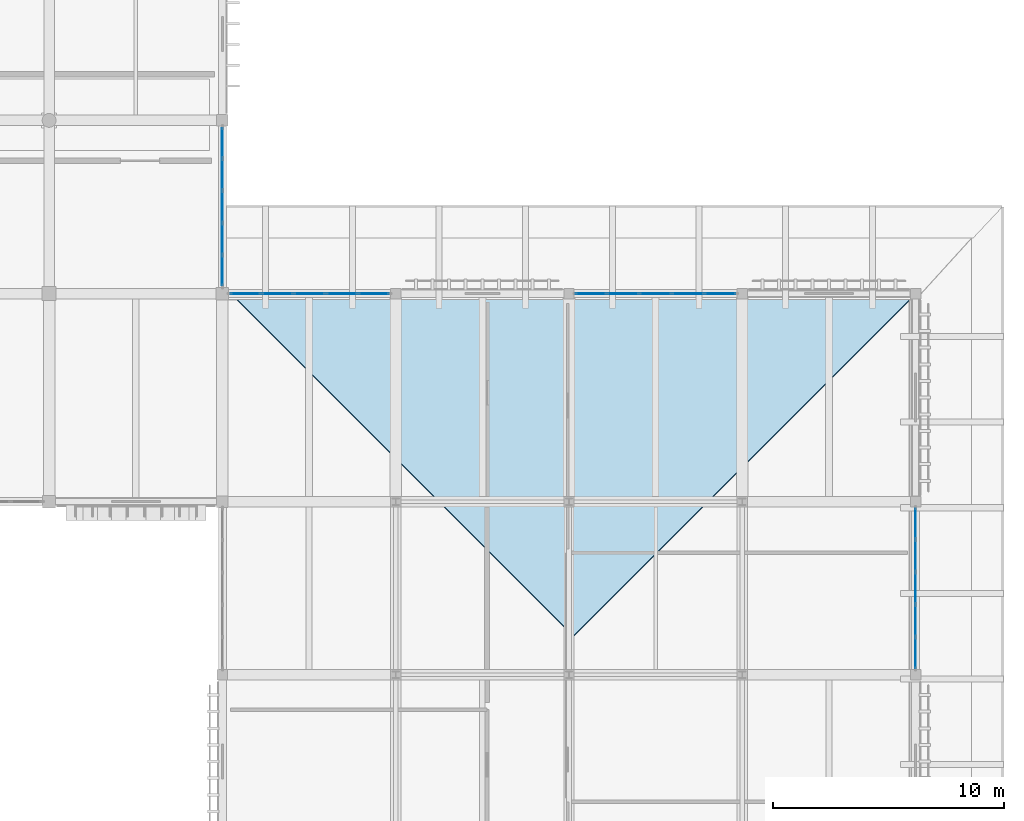
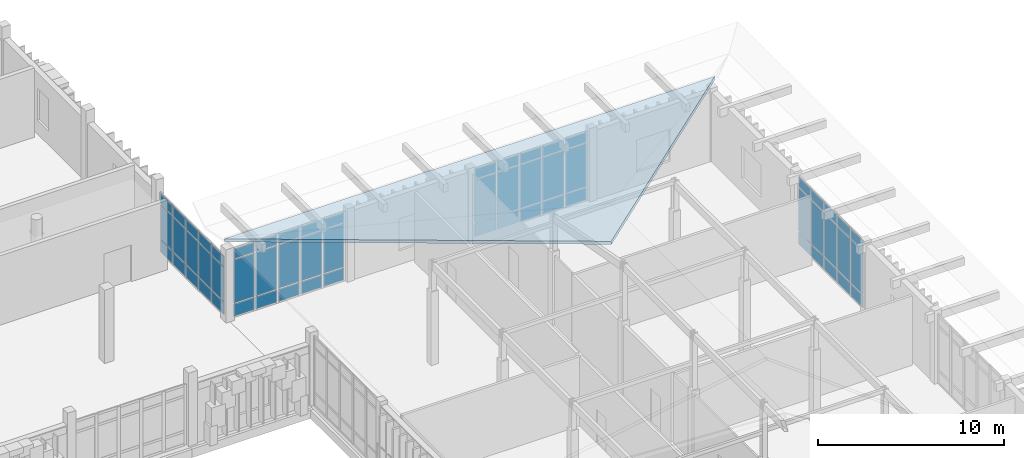
# One storey, part 93 of 131: 60 plates, 1 slab, 5 elements without a shape of their own.
"""IFC4 building model written with IfcOpenShell, lengths in metres."""

from ifc_helpers import new_model, si_unit, direction, frame, origin, origin_2d, place, context, subcontext, project, spatial, polyline, rectangle, outline, extrude, material, layer, layer_set, type_object, element, aggregate, save


model = new_model("IFC4")

# Units and contexts
model_context = context("Model", 3, precision=1e-05, world=origin(), true_north=direction((0.0, 1.0)))
body_context = subcontext(model_context, "Body", "Model", "MODEL_VIEW")
ifc_project = project(units=[si_unit("LENGTHUNIT", "METRE"), si_unit("AREAUNIT", "SQUARE_METRE"), si_unit("VOLUMEUNIT", "CUBIC_METRE"), si_unit("PLANEANGLEUNIT", "RADIAN"), si_unit("MASSUNIT", "GRAM", prefix="KILO")], contexts=[model_context])

# Site, building, storey
site_placement = place(None, origin())
site = spatial("IfcSite", under=ifc_project, at=site_placement, CompositionType="ELEMENT")
building_placement = place(site_placement, origin())
building = spatial("IfcBuilding", under=site, at=building_placement, Name="Dalvernix Boulevard General Hospital", CompositionType="ELEMENT")
storey_placement = place(building_placement, frame((0.0, 0.0, 9.300048828125)))
storey = spatial("IfcBuildingStorey", under=building, at=storey_placement, Name="L02", CompositionType="ELEMENT", Elevation=9.300048828125)

# Curtain wall, plates
ifc_material_1 = material(Name="Thermally broken aluminium and solar-control glass curtain wall", Category="aluminium")
ifc_layer_1 = layer(ifc_material_1, 0.179931640625)
ifc_layer_set_1 = layer_set([ifc_layer_1], Name="Thermally broken aluminium and solar-control glass curtain wall (CW-CW-B-70x46)")
curtain_wall_type_1 = type_object("IfcCurtainWallType", Name="CW-CW-B-70x46", PredefinedType="USERDEFINED", material=ifc_layer_set_1)
curtain_wall_1_placement = place(storey_placement, origin())
curtain_wall_1 = element("IfcCurtainWall", 1, at=curtain_wall_1_placement, inside=storey, type_object=curtain_wall_type_1, Name="L02 curtain wall CW-B-70x46 21-11", ObjectType="GLAZED FACADE", PredefinedType="USERDEFINED")
ifc_material_2 = material(Name="Double-glazed solar-control low-emissivity glass", Category="glass")
ifc_layer_2 = layer(ifc_material_2, 0.028076171875)
ifc_layer_set_2 = layer_set([ifc_layer_2], Name="Double-glazed solar-control low-emissivity glass (PLT-CW-P2)")
plate_type_1 = type_object("IfcPlateType", Name="PLT-CW-P2", PredefinedType="CURTAIN_PANEL", material=ifc_layer_set_2)
plate_1_placement = place(storey_placement, frame((158.454345703125, 85.5, 0.06494140625), z_axis=(0.0, 0.0, 1.0), x_axis=(1.0, 0.0, 0.0)))
plate_1 = element("IfcPlate", 2, at=plate_1_placement, type_object=plate_type_1, Name="CW-B-70x46 panel 1.1", PredefinedType="CURTAIN_PANEL", context=body_context, shape_type="SweptSolid", body=[
    extrude(rectangle(XDim=1.30859375, YDim=0.028076171875, at=origin_2d()), origin(), (0.0, 0.0, 1.0), 0.802490234375),
])
plate_2_placement = place(storey_placement, frame((158.454345703125, 85.5, 0.932373046875), z_axis=(0.0, 0.0, 1.0), x_axis=(1.0, 0.0, 0.0)))
plate_2 = element("IfcPlate", 3, at=plate_2_placement, type_object=plate_type_1, Name="CW-B-70x46 panel 1.2", PredefinedType="CURTAIN_PANEL", context=body_context, shape_type="SweptSolid", body=[
    extrude(rectangle(XDim=1.30859375, YDim=0.028076171875, at=origin_2d()), origin(), (0.0, 0.0, 1.0), 2.8349609375),
])
plate_3_placement = place(storey_placement, frame((158.454345703125, 85.5, 3.83251953125), z_axis=(0.0, 0.0, 1.0), x_axis=(1.0, 0.0, 0.0)))
plate_3 = element("IfcPlate", 4, at=plate_3_placement, type_object=plate_type_1, Name="CW-B-70x46 panel 1.3", PredefinedType="CURTAIN_PANEL", context=body_context, shape_type="SweptSolid", body=[
    extrude(rectangle(XDim=1.30859375, YDim=0.028076171875, at=origin_2d()), origin(), (0.0, 0.0, 1.0), 0.652587890625),
])
plate_4_placement = place(storey_placement, frame((159.843994140625, 85.5, 0.06494140625), z_axis=(0.0, 0.0, 1.0), x_axis=(1.0, 0.0, 0.0)))
plate_4 = element("IfcPlate", 5, at=plate_4_placement, type_object=plate_type_1, Name="CW-B-70x46 panel 2.1", PredefinedType="CURTAIN_PANEL", context=body_context, shape_type="SweptSolid", body=[
    extrude(rectangle(XDim=1.341064453125, YDim=0.028076171875, at=origin_2d()), origin(), (0.0, 0.0, 1.0), 0.802490234375),
])
plate_5_placement = place(storey_placement, frame((159.843994140625, 85.5, 0.932373046875), z_axis=(0.0, 0.0, 1.0), x_axis=(1.0, 0.0, 0.0)))
plate_5 = element("IfcPlate", 6, at=plate_5_placement, type_object=plate_type_1, Name="CW-B-70x46 panel 2.2", PredefinedType="CURTAIN_PANEL", context=body_context, shape_type="SweptSolid", body=[
    extrude(rectangle(XDim=1.341064453125, YDim=0.028076171875, at=origin_2d()), origin(), (0.0, 0.0, 1.0), 2.8349609375),
])
plate_6_placement = place(storey_placement, frame((159.843994140625, 85.5, 3.83251953125), z_axis=(0.0, 0.0, 1.0), x_axis=(1.0, 0.0, 0.0)))
plate_6 = element("IfcPlate", 7, at=plate_6_placement, type_object=plate_type_1, Name="CW-B-70x46 panel 2.3", PredefinedType="CURTAIN_PANEL", context=body_context, shape_type="SweptSolid", body=[
    extrude(rectangle(XDim=1.341064453125, YDim=0.028076171875, at=origin_2d()), origin(), (0.0, 0.0, 1.0), 0.652587890625),
])
plate_7_placement = place(storey_placement, frame((161.25, 85.5, 0.06494140625), z_axis=(0.0, 0.0, 1.0), x_axis=(1.0, 0.0, 0.0)))
plate_7 = element("IfcPlate", 8, at=plate_7_placement, type_object=plate_type_1, Name="CW-B-70x46 panel 3.1", PredefinedType="CURTAIN_PANEL", context=body_context, shape_type="SweptSolid", body=[
    extrude(rectangle(XDim=1.341064453125, YDim=0.028076171875, at=origin_2d()), origin(), (0.0, 0.0, 1.0), 0.802490234375),
])
plate_8_placement = place(storey_placement, frame((161.25, 85.5, 0.932373046875), z_axis=(0.0, 0.0, 1.0), x_axis=(1.0, 0.0, 0.0)))
plate_8 = element("IfcPlate", 9, at=plate_8_placement, type_object=plate_type_1, Name="CW-B-70x46 panel 3.2", PredefinedType="CURTAIN_PANEL", context=body_context, shape_type="SweptSolid", body=[
    extrude(rectangle(XDim=1.341064453125, YDim=0.028076171875, at=origin_2d()), origin(), (0.0, 0.0, 1.0), 2.8349609375),
])
plate_9_placement = place(storey_placement, frame((161.25, 85.5, 3.83251953125), z_axis=(0.0, 0.0, 1.0), x_axis=(1.0, 0.0, 0.0)))
plate_9 = element("IfcPlate", 10, at=plate_9_placement, type_object=plate_type_1, Name="CW-B-70x46 panel 3.3", PredefinedType="CURTAIN_PANEL", context=body_context, shape_type="SweptSolid", body=[
    extrude(rectangle(XDim=1.341064453125, YDim=0.028076171875, at=origin_2d()), origin(), (0.0, 0.0, 1.0), 0.652587890625),
])
plate_10_placement = place(storey_placement, frame((162.656005859375, 85.5, 0.06494140625), z_axis=(0.0, 0.0, 1.0), x_axis=(1.0, 0.0, 0.0)))
plate_10 = element("IfcPlate", 11, at=plate_10_placement, type_object=plate_type_1, Name="CW-B-70x46 panel 4.1", PredefinedType="CURTAIN_PANEL", context=body_context, shape_type="SweptSolid", body=[
    extrude(rectangle(XDim=1.341064453125, YDim=0.028076171875, at=origin_2d()), origin(), (0.0, 0.0, 1.0), 0.802490234375),
])
plate_11_placement = place(storey_placement, frame((162.656005859375, 85.5, 0.932373046875), z_axis=(0.0, 0.0, 1.0), x_axis=(1.0, 0.0, 0.0)))
plate_11 = element("IfcPlate", 12, at=plate_11_placement, type_object=plate_type_1, Name="CW-B-70x46 panel 4.2", PredefinedType="CURTAIN_PANEL", context=body_context, shape_type="SweptSolid", body=[
    extrude(rectangle(XDim=1.341064453125, YDim=0.028076171875, at=origin_2d()), origin(), (0.0, 0.0, 1.0), 2.8349609375),
])
plate_12_placement = place(storey_placement, frame((162.656005859375, 85.5, 3.83251953125), z_axis=(0.0, 0.0, 1.0), x_axis=(1.0, 0.0, 0.0)))
plate_12 = element("IfcPlate", 13, at=plate_12_placement, type_object=plate_type_1, Name="CW-B-70x46 panel 4.3", PredefinedType="CURTAIN_PANEL", context=body_context, shape_type="SweptSolid", body=[
    extrude(rectangle(XDim=1.341064453125, YDim=0.028076171875, at=origin_2d()), origin(), (0.0, 0.0, 1.0), 0.652587890625),
])
plate_13_placement = place(storey_placement, frame((164.045654296875, 85.5, 0.06494140625), z_axis=(0.0, 0.0, 1.0), x_axis=(1.0, 0.0, 0.0)))
plate_13 = element("IfcPlate", 14, at=plate_13_placement, type_object=plate_type_1, Name="CW-B-70x46 panel 5.1", PredefinedType="CURTAIN_PANEL", context=body_context, shape_type="SweptSolid", body=[
    extrude(rectangle(XDim=1.30859375, YDim=0.028076171875, at=origin_2d()), origin(), (0.0, 0.0, 1.0), 0.802490234375),
])
plate_14_placement = place(storey_placement, frame((164.045654296875, 85.5, 0.932373046875), z_axis=(0.0, 0.0, 1.0), x_axis=(1.0, 0.0, 0.0)))
plate_14 = element("IfcPlate", 15, at=plate_14_placement, type_object=plate_type_1, Name="CW-B-70x46 panel 5.2", PredefinedType="CURTAIN_PANEL", context=body_context, shape_type="SweptSolid", body=[
    extrude(rectangle(XDim=1.30859375, YDim=0.028076171875, at=origin_2d()), origin(), (0.0, 0.0, 1.0), 2.8349609375),
])
plate_15_placement = place(storey_placement, frame((164.045654296875, 85.5, 3.83251953125), z_axis=(0.0, 0.0, 1.0), x_axis=(1.0, 0.0, 0.0)))
plate_15 = element("IfcPlate", 16, at=plate_15_placement, type_object=plate_type_1, Name="CW-B-70x46 panel 5.3", PredefinedType="CURTAIN_PANEL", context=body_context, shape_type="SweptSolid", body=[
    extrude(rectangle(XDim=1.30859375, YDim=0.028076171875, at=origin_2d()), origin(), (0.0, 0.0, 1.0), 0.652587890625),
])
aggregate(curtain_wall_1, [plate_1, plate_2, plate_3, plate_4, plate_5, plate_6, plate_7, plate_8, plate_9, plate_10, plate_11, plate_12, plate_13, plate_14, plate_15])

curtain_wall_2_placement = place(storey_placement, origin())
curtain_wall_2 = element("IfcCurtainWall", 17, at=curtain_wall_2_placement, inside=storey, type_object=curtain_wall_type_1, Name="L02 curtain wall CW-B-70x46 23-9", ObjectType="GLAZED FACADE", PredefinedType="USERDEFINED")
plate_16_placement = place(storey_placement, frame((172.5, 75.545654296875, 0.06494140625), z_axis=(0.0, 0.0, 1.0), x_axis=(0.0, -1.0, 0.0)))
plate_16 = element("IfcPlate", 18, at=plate_16_placement, type_object=plate_type_1, Name="CW-B-70x46 panel 1.1", PredefinedType="CURTAIN_PANEL", context=body_context, shape_type="SweptSolid", body=[
    extrude(rectangle(XDim=1.30859375, YDim=0.028076171875, at=origin_2d()), origin(), (0.0, 0.0, 1.0), 0.802490234375),
])
plate_17_placement = place(storey_placement, frame((172.5, 75.545654296875, 0.932373046875), z_axis=(0.0, 0.0, 1.0), x_axis=(0.0, -1.0, 0.0)))
plate_17 = element("IfcPlate", 19, at=plate_17_placement, type_object=plate_type_1, Name="CW-B-70x46 panel 1.2", PredefinedType="CURTAIN_PANEL", context=body_context, shape_type="SweptSolid", body=[
    extrude(rectangle(XDim=1.30859375, YDim=0.028076171875, at=origin_2d()), origin(), (0.0, 0.0, 1.0), 2.8349609375),
])
plate_18_placement = place(storey_placement, frame((172.5, 75.545654296875, 3.83251953125), z_axis=(0.0, 0.0, 1.0), x_axis=(0.0, -1.0, 0.0)))
plate_18 = element("IfcPlate", 20, at=plate_18_placement, type_object=plate_type_1, Name="CW-B-70x46 panel 1.3", PredefinedType="CURTAIN_PANEL", context=body_context, shape_type="SweptSolid", body=[
    extrude(rectangle(XDim=1.30859375, YDim=0.028076171875, at=origin_2d()), origin(), (0.0, 0.0, 1.0), 0.652587890625),
])
plate_19_placement = place(storey_placement, frame((172.5, 74.156005859375, 0.06494140625), z_axis=(0.0, 0.0, 1.0), x_axis=(0.0, -1.0, 0.0)))
plate_19 = element("IfcPlate", 21, at=plate_19_placement, type_object=plate_type_1, Name="CW-B-70x46 panel 2.1", PredefinedType="CURTAIN_PANEL", context=body_context, shape_type="SweptSolid", body=[
    extrude(rectangle(XDim=1.341064453125, YDim=0.028076171875, at=origin_2d()), origin(), (0.0, 0.0, 1.0), 0.802490234375),
])
plate_20_placement = place(storey_placement, frame((172.5, 74.156005859375, 0.932373046875), z_axis=(0.0, 0.0, 1.0), x_axis=(0.0, -1.0, 0.0)))
plate_20 = element("IfcPlate", 22, at=plate_20_placement, type_object=plate_type_1, Name="CW-B-70x46 panel 2.2", PredefinedType="CURTAIN_PANEL", context=body_context, shape_type="SweptSolid", body=[
    extrude(rectangle(XDim=1.341064453125, YDim=0.028076171875, at=origin_2d()), origin(), (0.0, 0.0, 1.0), 2.8349609375),
])
plate_21_placement = place(storey_placement, frame((172.5, 74.156005859375, 3.83251953125), z_axis=(0.0, 0.0, 1.0), x_axis=(0.0, -1.0, 0.0)))
plate_21 = element("IfcPlate", 23, at=plate_21_placement, type_object=plate_type_1, Name="CW-B-70x46 panel 2.3", PredefinedType="CURTAIN_PANEL", context=body_context, shape_type="SweptSolid", body=[
    extrude(rectangle(XDim=1.341064453125, YDim=0.028076171875, at=origin_2d()), origin(), (0.0, 0.0, 1.0), 0.652587890625),
])
plate_22_placement = place(storey_placement, frame((172.5, 72.75, 0.06494140625), z_axis=(0.0, 0.0, 1.0), x_axis=(0.0, -1.0, 0.0)))
plate_22 = element("IfcPlate", 24, at=plate_22_placement, type_object=plate_type_1, Name="CW-B-70x46 panel 3.1", PredefinedType="CURTAIN_PANEL", context=body_context, shape_type="SweptSolid", body=[
    extrude(rectangle(XDim=1.341064453125, YDim=0.028076171875, at=origin_2d()), origin(), (0.0, 0.0, 1.0), 0.802490234375),
])
plate_23_placement = place(storey_placement, frame((172.5, 72.75, 0.932373046875), z_axis=(0.0, 0.0, 1.0), x_axis=(0.0, -1.0, 0.0)))
plate_23 = element("IfcPlate", 25, at=plate_23_placement, type_object=plate_type_1, Name="CW-B-70x46 panel 3.2", PredefinedType="CURTAIN_PANEL", context=body_context, shape_type="SweptSolid", body=[
    extrude(rectangle(XDim=1.341064453125, YDim=0.028076171875, at=origin_2d()), origin(), (0.0, 0.0, 1.0), 2.8349609375),
])
plate_24_placement = place(storey_placement, frame((172.5, 72.75, 3.83251953125), z_axis=(0.0, 0.0, 1.0), x_axis=(0.0, -1.0, 0.0)))
plate_24 = element("IfcPlate", 26, at=plate_24_placement, type_object=plate_type_1, Name="CW-B-70x46 panel 3.3", PredefinedType="CURTAIN_PANEL", context=body_context, shape_type="SweptSolid", body=[
    extrude(rectangle(XDim=1.341064453125, YDim=0.028076171875, at=origin_2d()), origin(), (0.0, 0.0, 1.0), 0.652587890625),
])
plate_25_placement = place(storey_placement, frame((172.5, 71.343994140625, 0.06494140625), z_axis=(0.0, 0.0, 1.0), x_axis=(0.0, -1.0, 0.0)))
plate_25 = element("IfcPlate", 27, at=plate_25_placement, type_object=plate_type_1, Name="CW-B-70x46 panel 4.1", PredefinedType="CURTAIN_PANEL", context=body_context, shape_type="SweptSolid", body=[
    extrude(rectangle(XDim=1.341064453125, YDim=0.028076171875, at=origin_2d()), origin(), (0.0, 0.0, 1.0), 0.802490234375),
])
plate_26_placement = place(storey_placement, frame((172.5, 71.343994140625, 0.932373046875), z_axis=(0.0, 0.0, 1.0), x_axis=(0.0, -1.0, 0.0)))
plate_26 = element("IfcPlate", 28, at=plate_26_placement, type_object=plate_type_1, Name="CW-B-70x46 panel 4.2", PredefinedType="CURTAIN_PANEL", context=body_context, shape_type="SweptSolid", body=[
    extrude(rectangle(XDim=1.341064453125, YDim=0.028076171875, at=origin_2d()), origin(), (0.0, 0.0, 1.0), 2.8349609375),
])
plate_27_placement = place(storey_placement, frame((172.5, 71.343994140625, 3.83251953125), z_axis=(0.0, 0.0, 1.0), x_axis=(0.0, -1.0, 0.0)))
plate_27 = element("IfcPlate", 29, at=plate_27_placement, type_object=plate_type_1, Name="CW-B-70x46 panel 4.3", PredefinedType="CURTAIN_PANEL", context=body_context, shape_type="SweptSolid", body=[
    extrude(rectangle(XDim=1.341064453125, YDim=0.028076171875, at=origin_2d()), origin(), (0.0, 0.0, 1.0), 0.652587890625),
])
plate_28_placement = place(storey_placement, frame((172.5, 69.954345703125, 0.06494140625), z_axis=(0.0, 0.0, 1.0), x_axis=(0.0, -1.0, 0.0)))
plate_28 = element("IfcPlate", 30, at=plate_28_placement, type_object=plate_type_1, Name="CW-B-70x46 panel 5.1", PredefinedType="CURTAIN_PANEL", context=body_context, shape_type="SweptSolid", body=[
    extrude(rectangle(XDim=1.30859375, YDim=0.028076171875, at=origin_2d()), origin(), (0.0, 0.0, 1.0), 0.802490234375),
])
plate_29_placement = place(storey_placement, frame((172.5, 69.954345703125, 0.932373046875), z_axis=(0.0, 0.0, 1.0), x_axis=(0.0, -1.0, 0.0)))
plate_29 = element("IfcPlate", 31, at=plate_29_placement, type_object=plate_type_1, Name="CW-B-70x46 panel 5.2", PredefinedType="CURTAIN_PANEL", context=body_context, shape_type="SweptSolid", body=[
    extrude(rectangle(XDim=1.30859375, YDim=0.028076171875, at=origin_2d()), origin(), (0.0, 0.0, 1.0), 2.8349609375),
])
plate_30_placement = place(storey_placement, frame((172.5, 69.954345703125, 3.83251953125), z_axis=(0.0, 0.0, 1.0), x_axis=(0.0, -1.0, 0.0)))
plate_30 = element("IfcPlate", 32, at=plate_30_placement, type_object=plate_type_1, Name="CW-B-70x46 panel 5.3", PredefinedType="CURTAIN_PANEL", context=body_context, shape_type="SweptSolid", body=[
    extrude(rectangle(XDim=1.30859375, YDim=0.028076171875, at=origin_2d()), origin(), (0.0, 0.0, 1.0), 0.652587890625),
])
aggregate(curtain_wall_2, [plate_16, plate_17, plate_18, plate_19, plate_20, plate_21, plate_22, plate_23, plate_24, plate_25, plate_26, plate_27, plate_28, plate_29, plate_30])

ifc_layer_3 = layer(ifc_material_1, 0.199951171875)
ifc_layer_set_3 = layer_set([ifc_layer_3], Name="Thermally broken aluminium and solar-control glass curtain wall (CW-CW-C-70x40)")
curtain_wall_type_2 = type_object("IfcCurtainWallType", Name="CW-CW-C-70x40", PredefinedType="USERDEFINED", material=ifc_layer_set_3)
curtain_wall_3_placement = place(storey_placement, origin())
curtain_wall_3 = element("IfcCurtainWall", 33, at=curtain_wall_3_placement, inside=storey, type_object=curtain_wall_type_2, Name="L02 curtain wall CW-C-70x40 19-11", ObjectType="GLAZED FACADE", PredefinedType="USERDEFINED")
ifc_layer_4 = layer(ifc_material_2, 0.035888671875)
ifc_layer_set_4 = layer_set([ifc_layer_4], Name="Double-glazed solar-control low-emissivity glass (PLT-CW-P3)")
plate_type_2 = type_object("IfcPlateType", Name="PLT-CW-P3", PredefinedType="CURTAIN_PANEL", material=ifc_layer_set_4)
plate_31_placement = place(storey_placement, frame((142.5, 92.027099609375, 0.070068359375), z_axis=(0.0, 0.0, 1.0), x_axis=(0.0, -1.0, 0.0)))
plate_31 = element("IfcPlate", 34, at=plate_31_placement, type_object=plate_type_2, Name="CW-C-70x40 panel 1.1", PredefinedType="CURTAIN_PANEL", context=body_context, shape_type="SweptSolid", body=[
    extrude(rectangle(XDim=1.285888671875, YDim=0.035888671875, at=origin_2d()), origin(), (0.0, 0.0, 1.0), 0.794921875),
])
plate_32_placement = place(storey_placement, frame((142.5, 92.027099609375, 0.93505859375), z_axis=(0.0, 0.0, 1.0), x_axis=(0.0, -1.0, 0.0)))
plate_32 = element("IfcPlate", 35, at=plate_32_placement, type_object=plate_type_2, Name="CW-C-70x40 panel 1.2", PredefinedType="CURTAIN_PANEL", context=body_context, shape_type="SweptSolid", body=[
    extrude(rectangle(XDim=1.285888671875, YDim=0.035888671875, at=origin_2d()), origin(), (0.0, 0.0, 1.0), 2.22998046875),
])
plate_33_placement = place(storey_placement, frame((142.5, 92.027099609375, 3.23486328125), z_axis=(0.0, 0.0, 1.0), x_axis=(0.0, -1.0, 0.0)))
plate_33 = element("IfcPlate", 36, at=plate_33_placement, type_object=plate_type_2, Name="CW-C-70x40 panel 1.3", PredefinedType="CURTAIN_PANEL", context=body_context, shape_type="SweptSolid", body=[
    extrude(rectangle(XDim=1.285888671875, YDim=0.035888671875, at=origin_2d()), origin(), (0.0, 0.0, 1.0), 0.64501953125),
])
plate_34_placement = place(storey_placement, frame((142.5, 90.653564453125, 0.070068359375), z_axis=(0.0, 0.0, 1.0), x_axis=(0.0, -1.0, 0.0)))
plate_34 = element("IfcPlate", 37, at=plate_34_placement, type_object=plate_type_2, Name="CW-C-70x40 panel 2.1", PredefinedType="CURTAIN_PANEL", context=body_context, shape_type="SweptSolid", body=[
    extrude(rectangle(XDim=1.321044921875, YDim=0.035888671875, at=origin_2d()), origin(), (0.0, 0.0, 1.0), 0.794921875),
])
plate_35_placement = place(storey_placement, frame((142.5, 90.653564453125, 0.93505859375), z_axis=(0.0, 0.0, 1.0), x_axis=(0.0, -1.0, 0.0)))
plate_35 = element("IfcPlate", 38, at=plate_35_placement, type_object=plate_type_2, Name="CW-C-70x40 panel 2.2", PredefinedType="CURTAIN_PANEL", context=body_context, shape_type="SweptSolid", body=[
    extrude(rectangle(XDim=1.321044921875, YDim=0.035888671875, at=origin_2d()), origin(), (0.0, 0.0, 1.0), 2.22998046875),
])
plate_36_placement = place(storey_placement, frame((142.5, 90.653564453125, 3.23486328125), z_axis=(0.0, 0.0, 1.0), x_axis=(0.0, -1.0, 0.0)))
plate_36 = element("IfcPlate", 39, at=plate_36_placement, type_object=plate_type_2, Name="CW-C-70x40 panel 2.3", PredefinedType="CURTAIN_PANEL", context=body_context, shape_type="SweptSolid", body=[
    extrude(rectangle(XDim=1.321044921875, YDim=0.035888671875, at=origin_2d()), origin(), (0.0, 0.0, 1.0), 0.64501953125),
])
plate_37_placement = place(storey_placement, frame((142.5, 89.262451171875, 0.070068359375), z_axis=(0.0, 0.0, 1.0), x_axis=(0.0, -1.0, 0.0)))
plate_37 = element("IfcPlate", 40, at=plate_37_placement, type_object=plate_type_2, Name="CW-C-70x40 panel 3.1", PredefinedType="CURTAIN_PANEL", context=body_context, shape_type="SweptSolid", body=[
    extrude(rectangle(XDim=1.321044921875, YDim=0.035888671875, at=origin_2d()), origin(), (0.0, 0.0, 1.0), 0.794921875),
])
plate_38_placement = place(storey_placement, frame((142.5, 89.262451171875, 0.93505859375), z_axis=(0.0, 0.0, 1.0), x_axis=(0.0, -1.0, 0.0)))
plate_38 = element("IfcPlate", 41, at=plate_38_placement, type_object=plate_type_2, Name="CW-C-70x40 panel 3.2", PredefinedType="CURTAIN_PANEL", context=body_context, shape_type="SweptSolid", body=[
    extrude(rectangle(XDim=1.321044921875, YDim=0.035888671875, at=origin_2d()), origin(), (0.0, 0.0, 1.0), 2.22998046875),
])
plate_39_placement = place(storey_placement, frame((142.5, 89.262451171875, 3.23486328125), z_axis=(0.0, 0.0, 1.0), x_axis=(0.0, -1.0, 0.0)))
plate_39 = element("IfcPlate", 42, at=plate_39_placement, type_object=plate_type_2, Name="CW-C-70x40 panel 3.3", PredefinedType="CURTAIN_PANEL", context=body_context, shape_type="SweptSolid", body=[
    extrude(rectangle(XDim=1.321044921875, YDim=0.035888671875, at=origin_2d()), origin(), (0.0, 0.0, 1.0), 0.64501953125),
])
plate_40_placement = place(storey_placement, frame((142.5, 87.87158203125, 0.070068359375), z_axis=(0.0, 0.0, 1.0), x_axis=(0.0, -1.0, 0.0)))
plate_40 = element("IfcPlate", 43, at=plate_40_placement, type_object=plate_type_2, Name="CW-C-70x40 panel 4.1", PredefinedType="CURTAIN_PANEL", context=body_context, shape_type="SweptSolid", body=[
    extrude(rectangle(XDim=1.321044921875, YDim=0.035888671875, at=origin_2d()), origin(), (0.0, 0.0, 1.0), 0.794921875),
])
plate_41_placement = place(storey_placement, frame((142.5, 87.87158203125, 0.93505859375), z_axis=(0.0, 0.0, 1.0), x_axis=(0.0, -1.0, 0.0)))
plate_41 = element("IfcPlate", 44, at=plate_41_placement, type_object=plate_type_2, Name="CW-C-70x40 panel 4.2", PredefinedType="CURTAIN_PANEL", context=body_context, shape_type="SweptSolid", body=[
    extrude(rectangle(XDim=1.321044921875, YDim=0.035888671875, at=origin_2d()), origin(), (0.0, 0.0, 1.0), 2.22998046875),
])
plate_42_placement = place(storey_placement, frame((142.5, 87.87158203125, 3.23486328125), z_axis=(0.0, 0.0, 1.0), x_axis=(0.0, -1.0, 0.0)))
plate_42 = element("IfcPlate", 45, at=plate_42_placement, type_object=plate_type_2, Name="CW-C-70x40 panel 4.3", PredefinedType="CURTAIN_PANEL", context=body_context, shape_type="SweptSolid", body=[
    extrude(rectangle(XDim=1.321044921875, YDim=0.035888671875, at=origin_2d()), origin(), (0.0, 0.0, 1.0), 0.64501953125),
])
plate_43_placement = place(storey_placement, frame((142.5, 86.498046875, 0.070068359375), z_axis=(0.0, 0.0, 1.0), x_axis=(0.0, -1.0, 0.0)))
plate_43 = element("IfcPlate", 46, at=plate_43_placement, type_object=plate_type_2, Name="CW-C-70x40 panel 5.1", PredefinedType="CURTAIN_PANEL", context=body_context, shape_type="SweptSolid", body=[
    extrude(rectangle(XDim=1.285888671875, YDim=0.035888671875, at=origin_2d()), origin(), (0.0, 0.0, 1.0), 0.794921875),
])
plate_44_placement = place(storey_placement, frame((142.5, 86.498046875, 0.93505859375), z_axis=(0.0, 0.0, 1.0), x_axis=(0.0, -1.0, 0.0)))
plate_44 = element("IfcPlate", 47, at=plate_44_placement, type_object=plate_type_2, Name="CW-C-70x40 panel 5.2", PredefinedType="CURTAIN_PANEL", context=body_context, shape_type="SweptSolid", body=[
    extrude(rectangle(XDim=1.285888671875, YDim=0.035888671875, at=origin_2d()), origin(), (0.0, 0.0, 1.0), 2.22998046875),
])
plate_45_placement = place(storey_placement, frame((142.5, 86.498046875, 3.23486328125), z_axis=(0.0, 0.0, 1.0), x_axis=(0.0, -1.0, 0.0)))
plate_45 = element("IfcPlate", 48, at=plate_45_placement, type_object=plate_type_2, Name="CW-C-70x40 panel 5.3", PredefinedType="CURTAIN_PANEL", context=body_context, shape_type="SweptSolid", body=[
    extrude(rectangle(XDim=1.285888671875, YDim=0.035888671875, at=origin_2d()), origin(), (0.0, 0.0, 1.0), 0.64501953125),
])
aggregate(curtain_wall_3, [plate_31, plate_32, plate_33, plate_34, plate_35, plate_36, plate_37, plate_38, plate_39, plate_40, plate_41, plate_42, plate_43, plate_44, plate_45])

ifc_layer_5 = layer(ifc_material_1, 0.199951171875)
ifc_layer_set_5 = layer_set([ifc_layer_5], Name="Thermally broken aluminium and solar-control glass curtain wall (CW-CW-C-70x46)")
curtain_wall_type_3 = type_object("IfcCurtainWallType", Name="CW-CW-C-70x46", PredefinedType="USERDEFINED", material=ifc_layer_set_5)
curtain_wall_4_placement = place(storey_placement, origin())
curtain_wall_4 = element("IfcCurtainWall", 49, at=curtain_wall_4_placement, inside=storey, type_object=curtain_wall_type_3, Name="L02 curtain wall CW-C-70x46 19-11", ObjectType="GLAZED FACADE", PredefinedType="USERDEFINED")
plate_46_placement = place(storey_placement, frame((143.50048828125, 85.5, 0.070068359375), z_axis=(0.0, 0.0, 1.0), x_axis=(1.0, 0.0, 0.0)))
plate_46 = element("IfcPlate", 50, at=plate_46_placement, type_object=plate_type_2, Name="CW-C-70x46 panel 1.1", PredefinedType="CURTAIN_PANEL", context=body_context, shape_type="SweptSolid", body=[
    extrude(rectangle(XDim=1.291015625, YDim=0.035888671875, at=origin_2d()), origin(), (0.0, 0.0, 1.0), 0.794921875),
])
plate_47_placement = place(storey_placement, frame((143.50048828125, 85.5, 0.934814453125), z_axis=(0.0, 0.0, 1.0), x_axis=(1.0, 0.0, 0.0)))
plate_47 = element("IfcPlate", 51, at=plate_47_placement, type_object=plate_type_2, Name="CW-C-70x46 panel 1.2", PredefinedType="CURTAIN_PANEL", context=body_context, shape_type="SweptSolid", body=[
    extrude(rectangle(XDim=1.291015625, YDim=0.035888671875, at=origin_2d()), origin(), (0.0, 0.0, 1.0), 2.830078125),
])
plate_48_placement = place(storey_placement, frame((143.50048828125, 85.5, 3.8349609375), z_axis=(0.0, 0.0, 1.0), x_axis=(1.0, 0.0, 0.0)))
plate_48 = element("IfcPlate", 52, at=plate_48_placement, type_object=plate_type_2, Name="CW-C-70x46 panel 1.3", PredefinedType="CURTAIN_PANEL", context=body_context, shape_type="SweptSolid", body=[
    extrude(rectangle(XDim=1.291015625, YDim=0.035888671875, at=origin_2d()), origin(), (0.0, 0.0, 1.0), 0.64501953125),
])
plate_49_placement = place(storey_placement, frame((144.87890625, 85.5, 0.070068359375), z_axis=(0.0, 0.0, 1.0), x_axis=(1.0, 0.0, 0.0)))
plate_49 = element("IfcPlate", 53, at=plate_49_placement, type_object=plate_type_2, Name="CW-C-70x46 panel 2.1", PredefinedType="CURTAIN_PANEL", context=body_context, shape_type="SweptSolid", body=[
    extrude(rectangle(XDim=1.325927734375, YDim=0.035888671875, at=origin_2d()), origin(), (0.0, 0.0, 1.0), 0.794921875),
])
plate_50_placement = place(storey_placement, frame((144.87890625, 85.5, 0.934814453125), z_axis=(0.0, 0.0, 1.0), x_axis=(1.0, 0.0, 0.0)))
plate_50 = element("IfcPlate", 54, at=plate_50_placement, type_object=plate_type_2, Name="CW-C-70x46 panel 2.2", PredefinedType="CURTAIN_PANEL", context=body_context, shape_type="SweptSolid", body=[
    extrude(rectangle(XDim=1.325927734375, YDim=0.035888671875, at=origin_2d()), origin(), (0.0, 0.0, 1.0), 2.830078125),
])
plate_51_placement = place(storey_placement, frame((144.87890625, 85.5, 3.8349609375), z_axis=(0.0, 0.0, 1.0), x_axis=(1.0, 0.0, 0.0)))
plate_51 = element("IfcPlate", 55, at=plate_51_placement, type_object=plate_type_2, Name="CW-C-70x46 panel 2.3", PredefinedType="CURTAIN_PANEL", context=body_context, shape_type="SweptSolid", body=[
    extrude(rectangle(XDim=1.325927734375, YDim=0.035888671875, at=origin_2d()), origin(), (0.0, 0.0, 1.0), 0.64501953125),
])
plate_52_placement = place(storey_placement, frame((146.27490234375, 85.5, 0.070068359375), z_axis=(0.0, 0.0, 1.0), x_axis=(1.0, 0.0, 0.0)))
plate_52 = element("IfcPlate", 56, at=plate_52_placement, type_object=plate_type_2, Name="CW-C-70x46 panel 3.1", PredefinedType="CURTAIN_PANEL", context=body_context, shape_type="SweptSolid", body=[
    extrude(rectangle(XDim=1.325927734375, YDim=0.035888671875, at=origin_2d()), origin(), (0.0, 0.0, 1.0), 0.794921875),
])
plate_53_placement = place(storey_placement, frame((146.27490234375, 85.5, 0.934814453125), z_axis=(0.0, 0.0, 1.0), x_axis=(1.0, 0.0, 0.0)))
plate_53 = element("IfcPlate", 57, at=plate_53_placement, type_object=plate_type_2, Name="CW-C-70x46 panel 3.2", PredefinedType="CURTAIN_PANEL", context=body_context, shape_type="SweptSolid", body=[
    extrude(rectangle(XDim=1.325927734375, YDim=0.035888671875, at=origin_2d()), origin(), (0.0, 0.0, 1.0), 2.830078125),
])
plate_54_placement = place(storey_placement, frame((146.27490234375, 85.5, 3.8349609375), z_axis=(0.0, 0.0, 1.0), x_axis=(1.0, 0.0, 0.0)))
plate_54 = element("IfcPlate", 58, at=plate_54_placement, type_object=plate_type_2, Name="CW-C-70x46 panel 3.3", PredefinedType="CURTAIN_PANEL", context=body_context, shape_type="SweptSolid", body=[
    extrude(rectangle(XDim=1.325927734375, YDim=0.035888671875, at=origin_2d()), origin(), (0.0, 0.0, 1.0), 0.64501953125),
])
plate_55_placement = place(storey_placement, frame((147.6708984375, 85.5, 0.070068359375), z_axis=(0.0, 0.0, 1.0), x_axis=(1.0, 0.0, 0.0)))
plate_55 = element("IfcPlate", 59, at=plate_55_placement, type_object=plate_type_2, Name="CW-C-70x46 panel 4.1", PredefinedType="CURTAIN_PANEL", context=body_context, shape_type="SweptSolid", body=[
    extrude(rectangle(XDim=1.325927734375, YDim=0.035888671875, at=origin_2d()), origin(), (0.0, 0.0, 1.0), 0.794921875),
])
plate_56_placement = place(storey_placement, frame((147.6708984375, 85.5, 0.934814453125), z_axis=(0.0, 0.0, 1.0), x_axis=(1.0, 0.0, 0.0)))
plate_56 = element("IfcPlate", 60, at=plate_56_placement, type_object=plate_type_2, Name="CW-C-70x46 panel 4.2", PredefinedType="CURTAIN_PANEL", context=body_context, shape_type="SweptSolid", body=[
    extrude(rectangle(XDim=1.325927734375, YDim=0.035888671875, at=origin_2d()), origin(), (0.0, 0.0, 1.0), 2.830078125),
])
plate_57_placement = place(storey_placement, frame((147.6708984375, 85.5, 3.8349609375), z_axis=(0.0, 0.0, 1.0), x_axis=(1.0, 0.0, 0.0)))
plate_57 = element("IfcPlate", 61, at=plate_57_placement, type_object=plate_type_2, Name="CW-C-70x46 panel 4.3", PredefinedType="CURTAIN_PANEL", context=body_context, shape_type="SweptSolid", body=[
    extrude(rectangle(XDim=1.325927734375, YDim=0.035888671875, at=origin_2d()), origin(), (0.0, 0.0, 1.0), 0.64501953125),
])
plate_58_placement = place(storey_placement, frame((149.049560546875, 85.5, 0.070068359375), z_axis=(0.0, 0.0, 1.0), x_axis=(1.0, 0.0, 0.0)))
plate_58 = element("IfcPlate", 62, at=plate_58_placement, type_object=plate_type_2, Name="CW-C-70x46 panel 5.1", PredefinedType="CURTAIN_PANEL", context=body_context, shape_type="SweptSolid", body=[
    extrude(rectangle(XDim=1.291015625, YDim=0.035888671875, at=origin_2d()), origin(), (0.0, 0.0, 1.0), 0.794921875),
])
plate_59_placement = place(storey_placement, frame((149.049560546875, 85.5, 0.934814453125), z_axis=(0.0, 0.0, 1.0), x_axis=(1.0, 0.0, 0.0)))
plate_59 = element("IfcPlate", 63, at=plate_59_placement, type_object=plate_type_2, Name="CW-C-70x46 panel 5.2", PredefinedType="CURTAIN_PANEL", context=body_context, shape_type="SweptSolid", body=[
    extrude(rectangle(XDim=1.291015625, YDim=0.035888671875, at=origin_2d()), origin(), (0.0, 0.0, 1.0), 2.830078125),
])
plate_60_placement = place(storey_placement, frame((149.049560546875, 85.5, 3.8349609375), z_axis=(0.0, 0.0, 1.0), x_axis=(1.0, 0.0, 0.0)))
plate_60 = element("IfcPlate", 64, at=plate_60_placement, type_object=plate_type_2, Name="CW-C-70x46 panel 5.3", PredefinedType="CURTAIN_PANEL", context=body_context, shape_type="SweptSolid", body=[
    extrude(rectangle(XDim=1.291015625, YDim=0.035888671875, at=origin_2d()), origin(), (0.0, 0.0, 1.0), 0.64501953125),
])
aggregate(curtain_wall_4, [plate_46, plate_47, plate_48, plate_49, plate_50, plate_51, plate_52, plate_53, plate_54, plate_55, plate_56, plate_57, plate_58, plate_59, plate_60])

# Roof, slab
ifc_material_3 = material(Name="Polychrome Catalan glazed terracotta tile roof system", Category="masonry")
roof_type = type_object("IfcRoofType", Name="ROOF-HIP-01", PredefinedType="HIP_ROOF", material=ifc_material_3)
roof_placement = place(storey_placement, origin())
roof = element("IfcRoof", 65, at=roof_placement, inside=storey, type_object=roof_type, Name="V2 Hipped Ceramic Roof", PredefinedType="HIP_ROOF")
ifc_material_4 = material(Name="Concrete C35/45", Category="concrete")
ifc_layer_6 = layer(ifc_material_4, 0.179931640625)
ifc_layer_set_6 = layer_set([ifc_layer_6], Name="Concrete C35/45 (SLB-RS-03)")
slab_type = type_object("IfcSlabType", Name="SLB-RS-03", PredefinedType="ROOF", material=ifc_layer_set_6)
slab_placement = place(storey_placement, frame((172.89990234375, 85.89990234375, 5.02001953125), z_axis=(0.0, 0.238529380826, 0.971135281247), x_axis=(-1.0, 0.0, 0.0)))
slab = element("IfcSlab", 66, at=slab_placement, type_object=slab_type, Name="V2 hipped roof slab N", PredefinedType="ROOF", context=body_context, shape_type="SweptSolid", body=[
    extrude(outline(polyline([(0.0, 0.0), (30.39990234375, 0.0), (15.199951171875, 15.651734073913714), (0.0, 0.0)])), origin(), (0.0, 0.0, -1.0), 0.179931640625),
])
aggregate(roof, [slab])

save(model, "model.ifc")
